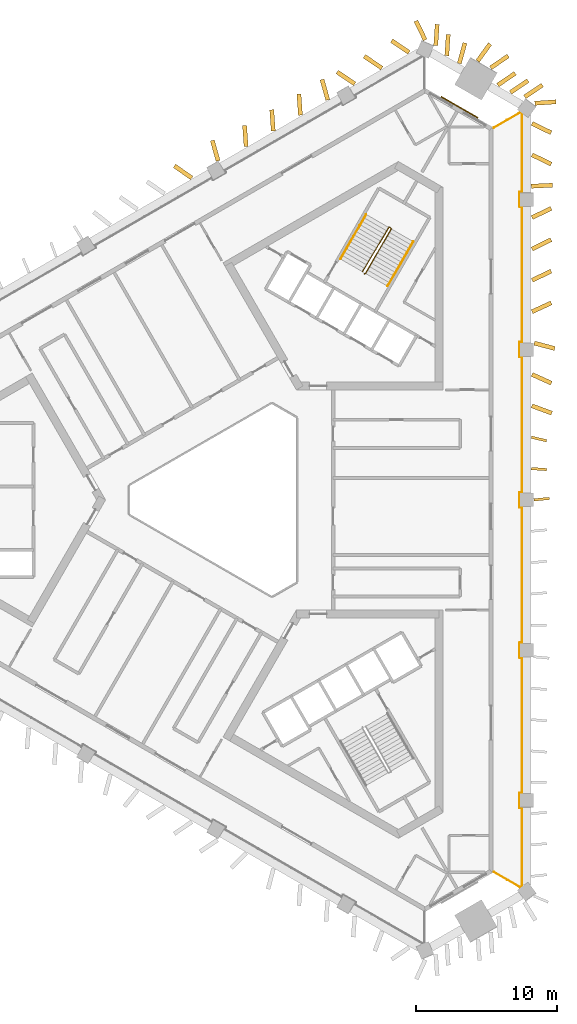
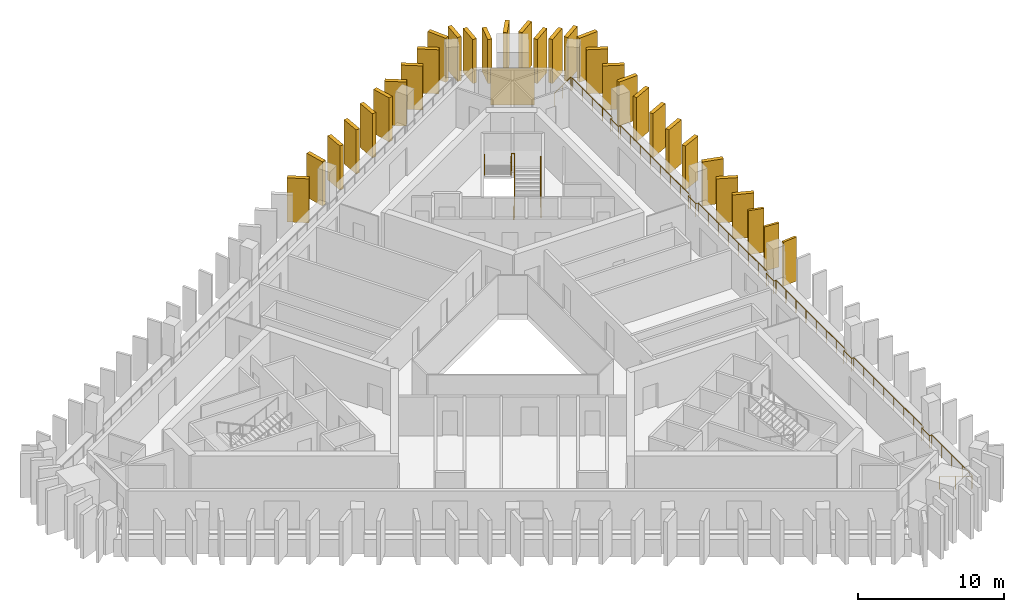
# One storey, part 9 of 9: 32 shading devices, 4 railings, 1 covering.
"""IFC4 building model written with IfcOpenShell, lengths in metres."""

from ifc_helpers import new_model, si_unit, direction, frame, frame_2d, origin, origin_2d, place, context, subcontext, project, spatial, rectangle, circle, extrude, material, layer, layer_set, type_object, element, save


model = new_model("IFC4")

# Units and contexts
model_context = context("Model", 3, precision=1e-05, world=origin(), true_north=direction((0.0, 1.0)))
body_context = subcontext(model_context, "Body", "Model", "MODEL_VIEW")
ifc_project = project(units=[si_unit("LENGTHUNIT", "METRE"), si_unit("AREAUNIT", "SQUARE_METRE"), si_unit("VOLUMEUNIT", "CUBIC_METRE"), si_unit("PLANEANGLEUNIT", "RADIAN"), si_unit("MASSUNIT", "GRAM", prefix="KILO")], contexts=[model_context])

# Site, building, storey
site_placement = place(None, origin())
site = spatial("IfcSite", under=ifc_project, at=site_placement, CompositionType="ELEMENT")
building_placement = place(site_placement, origin())
building = spatial("IfcBuilding", under=site, at=building_placement, Name="Jabali Bay Hotel Tower and Convention Centre", CompositionType="ELEMENT")
storey_placement = place(building_placement, frame((0.0, 0.0, 189.60009765625)))
storey = spatial("IfcBuildingStorey", under=building, at=storey_placement, Name="L46", CompositionType="ELEMENT", Elevation=189.60009765625)

# Railing
ifc_material_1 = material(Name="Glass", Category="glass")
railing_type_1 = type_object("IfcRailingType", Name="Loggia glass guard 1100", PredefinedType="BALUSTRADE", material=ifc_material_1)
railing_1_placement = place(storey_placement, frame((93.477783203125, 106.33837890625, 0.0)))
element("IfcRailing", 1, at=railing_1_placement, inside=storey, type_object=railing_type_1, Name="Loggia glass guard L46", PredefinedType="BALUSTRADE", context=body_context, shape_type="SweptSolid", body=[
    extrude(circle(Radius=0.02490234375, at=origin_2d()), frame((0.0, 0.0, 1.0751953125), z_axis=(0.866035418383, 0.499982653806, 0.0), x_axis=(-0.495705232892, 0.858626365323, 0.13052619222)), (0.0, 0.0, 1.0), 2.19287109375),
    extrude(circle(Radius=0.02490234375, at=origin_2d()), frame((1.899169921875, 1.096435546875, 1.0751953125), z_axis=(0.799767562016, -0.600309792313, 0.0), x_axis=(0.595174058821, 0.792925439655, 0.13052619222)), (0.0, 0.0, 1.0), 0.1259765625),
    extrude(circle(Radius=0.02490234375, at=origin_2d()), frame((2.0, 1.020751953125, 1.0751953125), z_axis=(0.0, -1.0, 0.0), x_axis=(0.991444861374, 0.0, 0.13052619222)), (0.0, 0.0, 1.0), 5.55810546875),
    extrude(circle(Radius=0.02490234375, at=origin_2d()), frame((2.0, -4.537353515625, 1.0751953125), z_axis=(-1.0, 0.0, 0.0), x_axis=(0.0, -0.991444861374, 0.13052619222)), (0.0, 0.0, 1.0), 0.175048828125),
    extrude(circle(Radius=0.02490234375, at=origin_2d()), frame((1.824951171875, -4.537353515625, 1.0751953125), z_axis=(0.0, -1.0, 0.0), x_axis=(0.991444861374, 0.0, 0.13052619222)), (0.0, 0.0, 1.0), 1.050048828125),
    extrude(circle(Radius=0.02490234375, at=origin_2d()), frame((1.824951171875, -5.58740234375, 1.0751953125), z_axis=(1.0, 0.0, 0.0), x_axis=(0.0, 0.991444861374, 0.13052619222)), (0.0, 0.0, 1.0), 0.175048828125),
    extrude(circle(Radius=0.02490234375, at=origin_2d()), frame((2.0, -5.58740234375, 1.0751953125), z_axis=(0.0, -1.0, 0.0), x_axis=(0.991444861374, 0.0, 0.13052619222)), (0.0, 0.0, 1.0), 9.587890625),
    extrude(circle(Radius=0.02490234375, at=origin_2d()), frame((2.0, -15.17529296875, 1.0751953125), z_axis=(-1.0, 0.0, 0.0), x_axis=(0.0, -0.991444861374, 0.13052619222)), (0.0, 0.0, 1.0), 0.175048828125),
    extrude(circle(Radius=0.02490234375, at=origin_2d()), frame((1.824951171875, -15.17529296875, 1.0751953125), z_axis=(0.0, -1.0, 0.0), x_axis=(0.991444861374, 0.0, 0.13052619222)), (0.0, 0.0, 1.0), 1.050048828125),
    extrude(circle(Radius=0.02490234375, at=origin_2d()), frame((1.824951171875, -16.225341796875, 1.0751953125), z_axis=(1.0, 0.0, 0.0), x_axis=(0.0, 0.991444861374, 0.13052619222)), (0.0, 0.0, 1.0), 0.175048828125),
    extrude(circle(Radius=0.02490234375, at=origin_2d()), frame((2.0, -16.225341796875, 1.0751953125), z_axis=(0.0, -1.0, 0.0), x_axis=(0.991444861374, 0.0, 0.13052619222)), (0.0, 0.0, 1.0), 9.588134765625),
    extrude(circle(Radius=0.02490234375, at=origin_2d()), frame((2.0, -25.8134765625, 1.0751953125), z_axis=(-1.0, 0.0, 0.0), x_axis=(0.0, -0.991444861374, 0.13052619222)), (0.0, 0.0, 1.0), 0.175048828125),
    extrude(circle(Radius=0.02490234375, at=origin_2d()), frame((1.824951171875, -25.8134765625, 1.0751953125), z_axis=(0.0, -1.0, 0.0), x_axis=(0.991444861374, 0.0, 0.13052619222)), (0.0, 0.0, 1.0), 1.0498046875),
    extrude(circle(Radius=0.02490234375, at=origin_2d()), frame((1.824951171875, -26.86328125, 1.0751953125), z_axis=(1.0, 0.0, 0.0), x_axis=(0.0, 0.991444861374, 0.13052619222)), (0.0, 0.0, 1.0), 0.175048828125),
    extrude(circle(Radius=0.02490234375, at=origin_2d()), frame((2.0, -26.86328125, 1.0751953125), z_axis=(0.0, -1.0, 0.0), x_axis=(0.991444861374, 0.0, 0.13052619222)), (0.0, 0.0, 1.0), 9.588134765625),
    extrude(circle(Radius=0.02490234375, at=origin_2d()), frame((2.0, -36.451416015625, 1.0751953125), z_axis=(-1.0, 0.0, 0.0), x_axis=(0.0, -0.991444861374, 0.13052619222)), (0.0, 0.0, 1.0), 0.175048828125),
    extrude(circle(Radius=0.02490234375, at=origin_2d()), frame((1.824951171875, -36.451416015625, 1.0751953125), z_axis=(0.0, -1.0, 0.0), x_axis=(0.991444861374, 0.0, 0.13052619222)), (0.0, 0.0, 1.0), 1.050048828125),
    extrude(circle(Radius=0.02490234375, at=origin_2d()), frame((1.824951171875, -37.50146484375, 1.0751953125), z_axis=(1.0, 0.0, 0.0), x_axis=(0.0, 0.991444861374, 0.13052619222)), (0.0, 0.0, 1.0), 0.175048828125),
    extrude(circle(Radius=0.02490234375, at=origin_2d()), frame((2.0, -37.50146484375, 1.0751953125), z_axis=(0.0, -1.0, 0.0), x_axis=(0.991444861374, 0.0, 0.13052619222)), (0.0, 0.0, 1.0), 9.587890625),
    extrude(circle(Radius=0.02490234375, at=origin_2d()), frame((2.0, -47.08935546875, 1.0751953125), z_axis=(-1.0, 0.0, 0.0), x_axis=(0.0, -0.991444861374, 0.13052619222)), (0.0, 0.0, 1.0), 0.175048828125),
    extrude(circle(Radius=0.02490234375, at=origin_2d()), frame((1.824951171875, -47.08935546875, 1.0751953125), z_axis=(0.0, -1.0, 0.0), x_axis=(0.991444861374, 0.0, 0.13052619222)), (0.0, 0.0, 1.0), 1.050048828125),
    extrude(circle(Radius=0.02490234375, at=origin_2d()), frame((1.824951171875, -48.139404296875, 1.0751953125), z_axis=(1.0, 0.0, 0.0), x_axis=(0.0, 0.991444861374, 0.13052619222)), (0.0, 0.0, 1.0), 0.175048828125),
    extrude(circle(Radius=0.02490234375, at=origin_2d()), frame((2.0, -48.139404296875, 1.0751953125), z_axis=(0.0, -1.0, 0.0), x_axis=(0.991444861374, 0.0, 0.13052619222)), (0.0, 0.0, 1.0), 5.55810546875),
    extrude(circle(Radius=0.02490234375, at=origin_2d()), frame((2.0, -53.697509765625, 1.0751953125), z_axis=(-0.799767562016, -0.600309792313, 0.0), x_axis=(0.595174058821, -0.792925439655, 0.13052619222)), (0.0, 0.0, 1.0), 0.1259765625),
    extrude(circle(Radius=0.02490234375, at=origin_2d()), frame((1.899169921875, -53.773193359375, 1.0751953125), z_axis=(-0.866035418383, 0.499982653806, 0.0), x_axis=(-0.495705232892, -0.858626365323, 0.13052619222)), (0.0, 0.0, 1.0), 2.19287109375),
    extrude(circle(Radius=0.02001953125, at=origin_2d()), origin(), (0.0, 0.0, 1.0), 1.050048828125),
    extrude(circle(Radius=0.02001953125, at=origin_2d()), frame((0.94970703125, 0.54833984375, 0.0)), (0.0, 0.0, 1.0), 1.050048828125),
    extrude(circle(Radius=0.02001953125, at=origin_2d()), frame((1.899169921875, 1.096435546875, 0.0)), (0.0, 0.0, 1.0), 1.050048828125),
    extrude(circle(Radius=0.02001953125, at=origin_2d()), frame((2.0, 1.020751953125, 0.0)), (0.0, 0.0, 1.0), 1.050048828125),
    extrude(circle(Radius=0.02001953125, at=origin_2d()), frame((2.0, -0.36865234375, 0.0)), (0.0, 0.0, 1.0), 1.050048828125),
    extrude(circle(Radius=0.02001953125, at=origin_2d()), frame((2.0, -1.75830078125, 0.0)), (0.0, 0.0, 1.0), 1.050048828125),
    extrude(circle(Radius=0.02001953125, at=origin_2d()), frame((2.0, -3.14794921875, 0.0)), (0.0, 0.0, 1.0), 1.050048828125),
    extrude(circle(Radius=0.02001953125, at=origin_2d()), frame((2.0, -4.537353515625, 0.0)), (0.0, 0.0, 1.0), 1.050048828125),
    extrude(circle(Radius=0.02001953125, at=origin_2d()), frame((1.824951171875, -4.537353515625, 0.0)), (0.0, 0.0, 1.0), 1.050048828125),
    extrude(circle(Radius=0.02001953125, at=origin_2d()), frame((1.824951171875, -5.58740234375, 0.0)), (0.0, 0.0, 1.0), 1.050048828125),
    extrude(circle(Radius=0.02001953125, at=origin_2d()), frame((2.0, -5.58740234375, 0.0)), (0.0, 0.0, 1.0), 1.050048828125),
    extrude(circle(Radius=0.02001953125, at=origin_2d()), frame((2.0, -6.95703125, 0.0)), (0.0, 0.0, 1.0), 1.050048828125),
    extrude(circle(Radius=0.02001953125, at=origin_2d()), frame((2.0, -8.326904296875, 0.0)), (0.0, 0.0, 1.0), 1.050048828125),
    extrude(circle(Radius=0.02001953125, at=origin_2d()), frame((2.0, -9.696533203125, 0.0)), (0.0, 0.0, 1.0), 1.050048828125),
    extrude(circle(Radius=0.02001953125, at=origin_2d()), frame((2.0, -11.066162109375, 0.0)), (0.0, 0.0, 1.0), 1.050048828125),
    extrude(circle(Radius=0.02001953125, at=origin_2d()), frame((2.0, -12.435791015625, 0.0)), (0.0, 0.0, 1.0), 1.050048828125),
    extrude(circle(Radius=0.02001953125, at=origin_2d()), frame((2.0, -13.8056640625, 0.0)), (0.0, 0.0, 1.0), 1.050048828125),
    extrude(circle(Radius=0.02001953125, at=origin_2d()), frame((2.0, -15.17529296875, 0.0)), (0.0, 0.0, 1.0), 1.050048828125),
    extrude(circle(Radius=0.02001953125, at=origin_2d()), frame((1.824951171875, -15.17529296875, 0.0)), (0.0, 0.0, 1.0), 1.050048828125),
    extrude(circle(Radius=0.02001953125, at=origin_2d()), frame((1.824951171875, -16.225341796875, 0.0)), (0.0, 0.0, 1.0), 1.050048828125),
    extrude(circle(Radius=0.02001953125, at=origin_2d()), frame((2.0, -16.225341796875, 0.0)), (0.0, 0.0, 1.0), 1.050048828125),
    extrude(circle(Radius=0.02001953125, at=origin_2d()), frame((2.0, -17.594970703125, 0.0)), (0.0, 0.0, 1.0), 1.050048828125),
    extrude(circle(Radius=0.02001953125, at=origin_2d()), frame((2.0, -18.96484375, 0.0)), (0.0, 0.0, 1.0), 1.050048828125),
    extrude(circle(Radius=0.02001953125, at=origin_2d()), frame((2.0, -20.33447265625, 0.0)), (0.0, 0.0, 1.0), 1.050048828125),
    extrude(circle(Radius=0.02001953125, at=origin_2d()), frame((2.0, -21.704345703125, 0.0)), (0.0, 0.0, 1.0), 1.050048828125),
    extrude(circle(Radius=0.02001953125, at=origin_2d()), frame((2.0, -23.073974609375, 0.0)), (0.0, 0.0, 1.0), 1.050048828125),
    extrude(circle(Radius=0.02001953125, at=origin_2d()), frame((2.0, -24.44384765625, 0.0)), (0.0, 0.0, 1.0), 1.050048828125),
    extrude(circle(Radius=0.02001953125, at=origin_2d()), frame((2.0, -25.8134765625, 0.0)), (0.0, 0.0, 1.0), 1.050048828125),
    extrude(circle(Radius=0.02001953125, at=origin_2d()), frame((1.824951171875, -25.8134765625, 0.0)), (0.0, 0.0, 1.0), 1.050048828125),
    extrude(circle(Radius=0.02001953125, at=origin_2d()), frame((1.824951171875, -26.86328125, 0.0)), (0.0, 0.0, 1.0), 1.050048828125),
    extrude(circle(Radius=0.02001953125, at=origin_2d()), frame((2.0, -26.86328125, 0.0)), (0.0, 0.0, 1.0), 1.050048828125),
    extrude(circle(Radius=0.02001953125, at=origin_2d()), frame((2.0, -28.23291015625, 0.0)), (0.0, 0.0, 1.0), 1.050048828125),
    extrude(circle(Radius=0.02001953125, at=origin_2d()), frame((2.0, -29.602783203125, 0.0)), (0.0, 0.0, 1.0), 1.050048828125),
    extrude(circle(Radius=0.02001953125, at=origin_2d()), frame((2.0, -30.972412109375, 0.0)), (0.0, 0.0, 1.0), 1.050048828125),
    extrude(circle(Radius=0.02001953125, at=origin_2d()), frame((2.0, -32.34228515625, 0.0)), (0.0, 0.0, 1.0), 1.050048828125),
    extrude(circle(Radius=0.02001953125, at=origin_2d()), frame((2.0, -33.7119140625, 0.0)), (0.0, 0.0, 1.0), 1.050048828125),
    extrude(circle(Radius=0.02001953125, at=origin_2d()), frame((2.0, -35.081787109375, 0.0)), (0.0, 0.0, 1.0), 1.050048828125),
    extrude(circle(Radius=0.02001953125, at=origin_2d()), frame((2.0, -36.451416015625, 0.0)), (0.0, 0.0, 1.0), 1.050048828125),
    extrude(circle(Radius=0.02001953125, at=origin_2d()), frame((1.824951171875, -36.451416015625, 0.0)), (0.0, 0.0, 1.0), 1.050048828125),
    extrude(circle(Radius=0.02001953125, at=origin_2d()), frame((1.824951171875, -37.50146484375, 0.0)), (0.0, 0.0, 1.0), 1.050048828125),
    extrude(circle(Radius=0.02001953125, at=origin_2d()), frame((2.0, -37.50146484375, 0.0)), (0.0, 0.0, 1.0), 1.050048828125),
    extrude(circle(Radius=0.02001953125, at=origin_2d()), frame((2.0, -38.87109375, 0.0)), (0.0, 0.0, 1.0), 1.050048828125),
    extrude(circle(Radius=0.02001953125, at=origin_2d()), frame((2.0, -40.240966796875, 0.0)), (0.0, 0.0, 1.0), 1.050048828125),
    extrude(circle(Radius=0.02001953125, at=origin_2d()), frame((2.0, -41.610595703125, 0.0)), (0.0, 0.0, 1.0), 1.050048828125),
    extrude(circle(Radius=0.02001953125, at=origin_2d()), frame((2.0, -42.980224609375, 0.0)), (0.0, 0.0, 1.0), 1.050048828125),
    extrude(circle(Radius=0.02001953125, at=origin_2d()), frame((2.0, -44.349853515625, 0.0)), (0.0, 0.0, 1.0), 1.050048828125),
    extrude(circle(Radius=0.02001953125, at=origin_2d()), frame((2.0, -45.7197265625, 0.0)), (0.0, 0.0, 1.0), 1.050048828125),
    extrude(circle(Radius=0.02001953125, at=origin_2d()), frame((2.0, -47.08935546875, 0.0)), (0.0, 0.0, 1.0), 1.050048828125),
    extrude(circle(Radius=0.02001953125, at=origin_2d()), frame((1.824951171875, -47.08935546875, 0.0)), (0.0, 0.0, 1.0), 1.050048828125),
    extrude(circle(Radius=0.02001953125, at=origin_2d()), frame((1.824951171875, -48.139404296875, 0.0)), (0.0, 0.0, 1.0), 1.050048828125),
    extrude(circle(Radius=0.02001953125, at=origin_2d()), frame((2.0, -48.139404296875, 0.0)), (0.0, 0.0, 1.0), 1.050048828125),
    extrude(circle(Radius=0.02001953125, at=origin_2d()), frame((2.0, -49.52880859375, 0.0)), (0.0, 0.0, 1.0), 1.050048828125),
    extrude(circle(Radius=0.02001953125, at=origin_2d()), frame((2.0, -50.91845703125, 0.0)), (0.0, 0.0, 1.0), 1.050048828125),
    extrude(circle(Radius=0.02001953125, at=origin_2d()), frame((2.0, -52.30810546875, 0.0)), (0.0, 0.0, 1.0), 1.050048828125),
    extrude(circle(Radius=0.02001953125, at=origin_2d()), frame((2.0, -53.697509765625, 0.0)), (0.0, 0.0, 1.0), 1.050048828125),
    extrude(circle(Radius=0.02001953125, at=origin_2d()), frame((1.899169921875, -53.773193359375, 0.0)), (0.0, 0.0, 1.0), 1.050048828125),
    extrude(circle(Radius=0.02001953125, at=origin_2d()), frame((0.94970703125, -53.22509765625, 0.0)), (0.0, 0.0, 1.0), 1.050048828125),
    extrude(circle(Radius=0.02001953125, at=origin_2d()), frame((0.0, -52.6767578125, 0.0)), (0.0, 0.0, 1.0), 1.050048828125),
])

# Shading devices
ifc_material_2 = material(Name="Precast concrete C60", Category="concrete")
ifc_layer_1 = layer(ifc_material_2, 0.179931640625)
ifc_layer_set_1 = layer_set([ifc_layer_1], Name="Precast concrete C60")
shading_device_type_1 = type_object("IfcShadingDeviceType", Name="Precast fin 3680 x 1100", PredefinedType="USERDEFINED", material=ifc_layer_set_1)
shading_device_1_placement = place(storey_placement, frame((96.3115234375, 80.0, 0.010009765625), z_axis=(0.0, 0.0, 1.0), x_axis=(0.995263116991, 0.097217940509, 0.0)))
element("IfcShadingDevice", 2, at=shading_device_1_placement, inside=storey, type_object=shading_device_type_1, Name="Fin L46 012", ObjectType="FIN", PredefinedType="USERDEFINED", context=body_context, shape_type="SweptSolid", body=[
    extrude(rectangle(XDim=1.099853515625, YDim=0.179931640625, at=frame_2d((0.5498046875, 0.0))), origin(), (0.0, 0.0, 1.0), 3.679931640625),
])
shading_device_2_placement = place(storey_placement, frame((96.12646484375, 82.22021484375, 0.010009765625), z_axis=(0.0, 0.0, 1.0), x_axis=(0.997630328423, -0.068802091615, 0.0)))
element("IfcShadingDevice", 3, at=shading_device_2_placement, inside=storey, type_object=shading_device_type_1, Name="Fin L46 013", ObjectType="FIN", PredefinedType="USERDEFINED", context=body_context, shape_type="SweptSolid", body=[
    extrude(rectangle(XDim=1.10009765625, YDim=0.179931640625, at=frame_2d((0.550048828125, 0.0))), origin(), (0.0, 0.0, 1.0), 3.679931640625),
])
shading_device_3_placement = place(storey_placement, frame((96.141357421875, 84.4404296875, 0.010009765625), z_axis=(0.0, 0.0, 1.0), x_axis=(0.972246081919, -0.233960586836, 0.0)))
element("IfcShadingDevice", 4, at=shading_device_3_placement, inside=storey, type_object=shading_device_type_1, Name="Fin L46 014", ObjectType="FIN", PredefinedType="USERDEFINED", context=body_context, shape_type="SweptSolid", body=[
    extrude(rectangle(XDim=1.099853515625, YDim=0.179931640625, at=frame_2d((0.5498046875, 0.0))), origin(), (0.0, 0.0, 1.0), 3.679931640625),
])
ifc_layer_2 = layer(ifc_material_2, 0.300048828125)
ifc_layer_set_2 = layer_set([ifc_layer_2], Name="Precast concrete C60")
shading_device_type_2 = type_object("IfcShadingDeviceType", Name="Precast fin 3680 x 1500", PredefinedType="USERDEFINED", material=ifc_layer_set_2)
shading_device_4_placement = place(storey_placement, frame((96.17236328125, 86.66064453125, 0.010009765625), z_axis=(0.0, 0.0, 1.0), x_axis=(0.937964578175, -0.346731091897, 0.0)))
element("IfcShadingDevice", 5, at=shading_device_4_placement, inside=storey, type_object=shading_device_type_2, Name="Fin L46 015", ObjectType="FIN", PredefinedType="USERDEFINED", context=body_context, shape_type="SweptSolid", body=[
    extrude(rectangle(XDim=1.499755859375, YDim=0.300048828125, at=frame_2d((0.75, 0.0))), origin(), (0.0, 0.0, 1.0), 3.679931640625),
])
for number, where, z_axis, x_axis, name in (
    (6, (96.181884765625, 88.880859375, 0.010009765625), (0.0, 0.0, 1.0), (0.911793552162, -0.410648898983, 0.0), "Fin L46 016"),
    (7, (96.341064453125, 91.10107421875, 0.010009765625), (0.0, 0.0, 1.0), (0.966759676631, -0.255686776429, 0.0), "Fin L46 017"),
    (8, (96.1826171875, 93.3212890625, 0.010009765625), (0.0, 0.0, 1.0), (0.90914186431, 0.416486579085, 0.0), "Fin L46 018"),
    (9, (96.185791015625, 95.541748046875, 0.010009765625), (0.0, 0.0, 1.0), (0.899383852228, 0.437159794985, 0.0), "Fin L46 019"),
    (10, (96.185791015625, 97.761962890625, 0.010009765625), (0.0, 0.0, 1.0), (0.899224705973, 0.437487060571, 0.0), "Fin L46 020"),
):
    element("IfcShadingDevice", number, at=place(storey_placement, frame(where, z_axis=z_axis, x_axis=x_axis)), inside=storey, type_object=shading_device_type_2, Name=name, ObjectType="FIN", PredefinedType="USERDEFINED", context=body_context, shape_type="SweptSolid", body=[
        extrude(rectangle(XDim=1.5, YDim=0.300048828125, at=frame_2d((0.75, 0.0))), origin(), (0.0, 0.0, 1.0), 3.679931640625),
    ])
shading_device_5_placement = place(storey_placement, frame((96.185791015625, 99.982177734375, 0.010009765625), z_axis=(0.0, 0.0, 1.0), x_axis=(0.899160672984, 0.437618651521, 0.0)))
element("IfcShadingDevice", 11, at=shading_device_5_placement, inside=storey, type_object=shading_device_type_2, Name="Fin L46 021", ObjectType="FIN", PredefinedType="USERDEFINED", context=body_context, shape_type="SweptSolid", body=[
    extrude(rectangle(XDim=1.500244140625, YDim=0.300048828125, at=frame_2d((0.75, 0.0))), origin(), (0.0, 0.0, 1.0), 3.679931640625),
])
shading_device_6_placement = place(storey_placement, frame((96.127685546875, 102.202392578125, 0.010009765625), z_axis=(0.0, 0.0, 1.0), x_axis=(0.998806935129, 0.048833455107, 0.0)))
element("IfcShadingDevice", 12, at=shading_device_6_placement, inside=storey, type_object=shading_device_type_2, Name="Fin L46 022", ObjectType="FIN", PredefinedType="USERDEFINED", context=body_context, shape_type="SweptSolid", body=[
    extrude(rectangle(XDim=1.499755859375, YDim=0.300048828125, at=frame_2d((0.75, 0.0))), origin(), (0.0, 0.0, 1.0), 3.679931640625),
])
for number, where, z_axis, x_axis, name in (
    (13, (96.185791015625, 104.422607421875, 0.010009765625), (0.0, 0.0, 1.0), (0.899160672984, -0.437618651521, 0.0), "Fin L46 023"),
    (14, (96.185791015625, 106.642822265625, 0.010009765625), (0.0, 0.0, 1.0), (0.899160672984, -0.437618651521, 0.0), "Fin L46 024"),
):
    element("IfcShadingDevice", number, at=place(storey_placement, frame(where, z_axis=z_axis, x_axis=x_axis)), inside=storey, type_object=shading_device_type_2, Name=name, ObjectType="FIN", PredefinedType="USERDEFINED", context=body_context, shape_type="SweptSolid", body=[
        extrude(rectangle(XDim=1.500244140625, YDim=0.300048828125, at=frame_2d((0.75, 0.0))), origin(), (0.0, 0.0, 1.0), 3.679931640625),
    ])
for number, where, z_axis, x_axis, name in (
    (15, (95.672607421875, 108.524169921875, 0.010009765625), (0.0, 0.0, 1.0), (0.828578765843, 0.559872511196, 0.0), "Fin L46 025"),
    (16, (94.65283203125, 108.83837890625, 0.010009765625), (0.0, 0.0, 1.0), (0.828654266351, 0.55976075859, 0.0), "Fin L46 026"),
    (17, (93.751953125, 109.3583984375, 0.010009765625), (0.0, 0.0, 1.0), (0.828578765843, 0.559872511196, 0.0), "Fin L46 027"),
    (18, (93.2568359375, 110.581787109375, 0.010009765625), (0.0, 0.0, 1.0), (0.826017232839, 0.563644862527, 0.0), "Fin L46 028"),
):
    element("IfcShadingDevice", number, at=place(storey_placement, frame(where, z_axis=z_axis, x_axis=x_axis)), inside=storey, type_object=shading_device_type_2, Name=name, ObjectType="FIN", PredefinedType="USERDEFINED", context=body_context, shape_type="SweptSolid", body=[
        extrude(rectangle(XDim=1.5, YDim=0.300048828125, at=frame_2d((0.75, 0.0))), origin(), (0.0, 0.0, 1.0), 3.679931640625),
    ])
shading_device_7_placement = place(storey_placement, frame((92.3310546875, 111.05859375, 0.010009765625), z_axis=(0.0, 0.0, 1.0), x_axis=(0.584896205236, 0.811108148831, 0.0)))
element("IfcShadingDevice", 19, at=shading_device_7_placement, inside=storey, type_object=shading_device_type_2, Name="Fin L46 029", ObjectType="FIN", PredefinedType="USERDEFINED", context=body_context, shape_type="SweptSolid", body=[
    extrude(rectangle(XDim=1.500244140625, YDim=0.300048828125, at=frame_2d((0.75, 0.0))), origin(), (0.0, 0.0, 1.0), 3.679931640625),
])
for number, where, z_axis, x_axis, name in (
    (20, (91.035400390625, 110.894775390625, 0.010009765625), (0.0, 0.0, 1.0), (0.264301506645, 0.96444010368, 0.0), "Fin L46 030"),
    (21, (90.1484375, 111.43896484375, 0.010009765625), (0.0, 0.0, 1.0), (0.070472092405, 0.99751375138, 0.0), "Fin L46 031"),
    (22, (89.366455078125, 112.1650390625, 0.010009765625), (0.0, 0.0, 1.0), (0.070472092405, 0.99751375138, 0.0), "Fin L46 032"),
    (23, (87.48046875, 111.6689453125, 0.010009765625), (0.0, 0.0, 1.0), (-0.828578765843, 0.559872511196, 0.0), "Fin L46 033"),
    (24, (85.5576171875, 110.558837890625, 0.010009765625), (0.0, 0.0, 1.0), (-0.828578765843, 0.559872511196, 0.0), "Fin L46 034"),
    (25, (83.634765625, 109.44873046875, 0.010009765625), (0.0, 0.0, 1.0), (-0.828578765843, 0.559872511196, 0.0), "Fin L46 035"),
    (26, (81.7265625, 108.3134765625, 0.010009765625), (0.0, 0.0, 1.0), (-0.272785876612, 0.962074771273, 0.0), "Fin L46 036"),
):
    element("IfcShadingDevice", number, at=place(storey_placement, frame(where, z_axis=z_axis, x_axis=x_axis)), inside=storey, type_object=shading_device_type_2, Name=name, ObjectType="FIN", PredefinedType="USERDEFINED", context=body_context, shape_type="SweptSolid", body=[
        extrude(rectangle(XDim=1.5, YDim=0.300048828125, at=frame_2d((0.75, 0.0))), origin(), (0.0, 0.0, 1.0), 3.679931640625),
    ])
for number, where, z_axis, x_axis, name in (
    (27, (79.789306640625, 107.228515625, 0.010009765625), (0.0, 0.0, 1.0), (-0.070645503354, 0.99750148514, 0.0), "Fin L46 037"),
    (28, (77.866455078125, 106.118408203125, 0.010009765625), (0.0, 0.0, 1.0), (-0.070483535293, 0.9975129429, 0.0), "Fin L46 038"),
    (29, (75.94384765625, 105.00830078125, 0.010009765625), (0.0, 0.0, 1.0), (-0.070645503354, 0.99750148514, 0.0), "Fin L46 039"),
):
    element("IfcShadingDevice", number, at=place(storey_placement, frame(where, z_axis=z_axis, x_axis=x_axis)), inside=storey, type_object=shading_device_type_2, Name=name, ObjectType="FIN", PredefinedType="USERDEFINED", context=body_context, shape_type="SweptSolid", body=[
        extrude(rectangle(XDim=1.499755859375, YDim=0.300048828125, at=frame_2d((0.75, 0.0))), origin(), (0.0, 0.0, 1.0), 3.679931640625),
    ])
shading_device_8_placement = place(storey_placement, frame((73.961181640625, 104.001708984375, 0.010009765625), z_axis=(0.0, 0.0, 1.0), x_axis=(-0.270957644327, 0.962591270987, 0.0)))
element("IfcShadingDevice", 30, at=shading_device_8_placement, inside=storey, type_object=shading_device_type_2, Name="Fin L46 040", ObjectType="FIN", PredefinedType="USERDEFINED", context=body_context, shape_type="SweptSolid", body=[
    extrude(rectangle(XDim=1.500244140625, YDim=0.300048828125, at=frame_2d((0.75, 0.0))), origin(), (0.0, 0.0, 1.0), 3.679931640625),
])
shading_device_9_placement = place(storey_placement, frame((72.099365234375, 102.7861328125, 0.010009765625), z_axis=(0.0, 0.0, 1.0), x_axis=(-0.819163097304, 0.573560650686, 0.0)))
element("IfcShadingDevice", 31, at=shading_device_9_placement, inside=storey, type_object=shading_device_type_2, Name="Fin L46 041", ObjectType="FIN", PredefinedType="USERDEFINED", context=body_context, shape_type="SweptSolid", body=[
    extrude(rectangle(XDim=1.5, YDim=0.300048828125, at=frame_2d((0.75, 0.0))), origin(), (0.0, 0.0, 1.0), 3.679931640625),
])
shading_device_10_placement = place(storey_placement, frame((96.381591796875, 108.072509765625, 0.010009765625), z_axis=(0.0, 0.0, 1.0), x_axis=(0.99750148514, 0.070645503354, 0.0)))
element("IfcShadingDevice", 32, at=shading_device_10_placement, inside=storey, type_object=shading_device_type_2, Name="Fin L46 100", ObjectType="FIN", PredefinedType="USERDEFINED", context=body_context, shape_type="SweptSolid", body=[
    extrude(rectangle(XDim=1.499755859375, YDim=0.300048828125, at=frame_2d((0.75, 0.0))), origin(), (0.0, 0.0, 1.0), 3.679931640625),
])
shading_device_11_placement = place(storey_placement, frame((88.620849609375, 112.55322265625, 0.010009765625), z_axis=(0.0, 0.0, 1.0), x_axis=(-0.43768269784, 0.899129499022, 0.0)))
element("IfcShadingDevice", 33, at=shading_device_11_placement, inside=storey, type_object=shading_device_type_2, Name="Fin L46 101", ObjectType="FIN", PredefinedType="USERDEFINED", context=body_context, shape_type="SweptSolid", body=[
    extrude(rectangle(XDim=1.5, YDim=0.300048828125, at=frame_2d((0.75, 0.0))), origin(), (0.0, 0.0, 1.0), 3.679931640625),
])

# Covering
ifc_material_3 = material(Name="Precast concrete C40/50", Category="concrete")
ifc_layer_3 = layer(ifc_material_3, 0.080078125)
ifc_layer_set_3 = layer_set([ifc_layer_3], Name="Precast concrete C40/50")
covering_type = type_object("IfcCoveringType", Name="Relief panel 3000 x 3050", PredefinedType="CLADDING", material=ifc_layer_set_3)
covering_placement = place(storey_placement, frame((91.04443359375, 107.78955078125, 0.10009765625), z_axis=(0.0, 0.0, 1.0), x_axis=(0.866025369375, -0.500000059598, 0.0)))
element("IfcCovering", 34, at=covering_placement, inside=storey, type_object=covering_type, Name="Relief panel L46", PredefinedType="CLADDING", context=body_context, shape_type="SweptSolid", body=[
    extrude(rectangle(XDim=3.0, YDim=0.080078125, at=origin_2d()), origin(), (0.0, 0.0, 1.0), 3.050048828125),
])

# Railings
ifc_material_4 = material(Name="Steel Q355B", Category="steel")
railing_type_2 = type_object("IfcRailingType", Name="Stair guard 1100", PredefinedType="GUARDRAIL", material=ifc_material_4)
railing_2_placement = place(storey_placement, frame((84.329833984375, 96.010009765625, 0.0)))
element("IfcRailing", 35, at=railing_2_placement, inside=storey, type_object=railing_type_2, Name="L46 ST2 stair guard 1", PredefinedType="GUARDRAIL", context=body_context, shape_type="SweptSolid", body=[
    extrude(circle(Radius=0.02392578125, at=origin_2d()), frame((0.0, 0.0, 1.076171875), z_axis=(0.456201556387, 0.122196845461, 0.881446578591), x_axis=(-0.258736085224, 0.965948051503, 0.0)), (0.0, 0.0, 1.0), 0.14990234375),
    extrude(circle(Radius=0.02392578125, at=origin_2d()), frame((0.068359375, 0.018310546875, 1.2080078125), z_axis=(0.452190331055, 0.783190014029, 0.426775475427), x_axis=(-0.866018046521, 0.500012742938, 0.0)), (0.0, 0.0, 1.0), 4.02490234375),
    extrude(circle(Radius=0.02392578125, at=origin_2d()), frame((1.888427734375, 3.170654296875, 2.92578125), z_axis=(-0.718850276695, 0.695164929852, 0.0), x_axis=(-0.695164929852, -0.718850276695, 0.0)), (0.0, 0.0, 1.0), 0.2060546875),
    extrude(circle(Radius=0.02392578125, at=origin_2d()), frame((1.740234375, 3.31396484375, 2.92578125), z_axis=(-0.457445338502, -0.768046879266, 0.448160410493), x_axis=(0.859157857954, -0.511710636118, 0.0)), (0.0, 0.0, 1.0), 4.128173828125),
    extrude(circle(Radius=0.02099609375, at=origin_2d()), origin(), (0.0, 0.0, 1.0), 1.052001953125),
    extrude(circle(Radius=0.02099609375, at=origin_2d()), frame((0.068359375, 0.018310546875, 0.132080078125)), (0.0, 0.0, 1.0), 1.052001953125),
    extrude(circle(Radius=0.02099609375, at=origin_2d()), frame((0.5234375, 0.806396484375, 0.5615234375)), (0.0, 0.0, 1.0), 1.052001953125),
    extrude(circle(Radius=0.02099609375, at=origin_2d()), frame((0.978515625, 1.594482421875, 0.990966796875)), (0.0, 0.0, 1.0), 1.052001953125),
    extrude(circle(Radius=0.02099609375, at=origin_2d()), frame((1.433349609375, 2.382568359375, 1.42041015625)), (0.0, 0.0, 1.0), 1.052001953125),
    extrude(circle(Radius=0.02099609375, at=origin_2d()), frame((1.888427734375, 3.170654296875, 1.849853515625)), (0.0, 0.0, 1.0), 1.052001953125),
    extrude(circle(Radius=0.02099609375, at=origin_2d()), frame((1.740234375, 3.31396484375, 1.849853515625)), (0.0, 0.0, 1.0), 1.052001953125),
    extrude(circle(Radius=0.02099609375, at=origin_2d()), frame((1.26806640625, 2.521240234375, 2.3125)), (0.0, 0.0, 1.0), 1.052001953125),
    extrude(circle(Radius=0.02099609375, at=origin_2d()), frame((0.7958984375, 1.728515625, 2.77490234375)), (0.0, 0.0, 1.0), 1.052001953125),
    extrude(circle(Radius=0.02099609375, at=origin_2d()), frame((0.323974609375, 0.93603515625, 3.2373046875)), (0.0, 0.0, 1.0), 1.052001953125),
    extrude(circle(Radius=0.02099609375, at=origin_2d()), frame((-0.148193359375, 0.143310546875, 3.699951171875)), (0.0, 0.0, 1.0), 1.052001953125),
])
railing_type_3 = type_object("IfcRailingType", Name="Stair handrail 900", PredefinedType="HANDRAIL", material=ifc_material_4)
railing_3_placement = place(storey_placement, frame((85.95703125, 95.128173828125, 0.132080078125)))
element("IfcRailing", 36, at=railing_3_placement, inside=storey, type_object=railing_type_3, Name="L46 ST2 stair handrail 1", PredefinedType="HANDRAIL", context=body_context, shape_type="SweptSolid", body=[
    extrude(circle(Radius=0.02392578125, at=origin_2d()), frame((0.0, 0.0, 0.8759765625), z_axis=(0.452190331055, 0.783190014029, 0.426775475427), x_axis=(-0.866018046521, 0.500012742938, 0.0)), (0.0, 0.0, 1.0), 4.02490234375),
    extrude(circle(Radius=0.02099609375, at=origin_2d()), origin(), (0.0, 0.0, 1.0), 0.851806640625),
    extrude(circle(Radius=0.02099609375, at=origin_2d()), frame((0.455078125, 0.7880859375, 0.429443359375)), (0.0, 0.0, 1.0), 0.851806640625),
    extrude(circle(Radius=0.02099609375, at=origin_2d()), frame((0.91015625, 1.576171875, 0.85888671875)), (0.0, 0.0, 1.0), 0.851806640625),
    extrude(circle(Radius=0.02099609375, at=origin_2d()), frame((1.364990234375, 2.3642578125, 1.288330078125)), (0.0, 0.0, 1.0), 0.851806640625),
    extrude(circle(Radius=0.02099609375, at=origin_2d()), frame((1.820068359375, 3.15234375, 1.7177734375)), (0.0, 0.0, 1.0), 0.851806640625),
])
railing_4_placement = place(storey_placement, frame((84.44287109375, 100.20556640625, 1.98193359375)))
element("IfcRailing", 37, at=railing_4_placement, inside=storey, type_object=railing_type_3, Name="L46 ST2 stair handrail 2", PredefinedType="HANDRAIL", context=body_context, shape_type="SweptSolid", body=[
    extrude(circle(Radius=0.02392578125, at=origin_2d()), frame((0.0, 0.0, 0.8759765625), z_axis=(-0.45217862506, -0.783169739339, 0.426825081763), x_axis=(0.866018046521, -0.500012742938, 0.0)), (0.0, 0.0, 1.0), 4.025146484375),
    extrude(circle(Radius=0.02099609375, at=origin_2d()), origin(), (0.0, 0.0, 1.0), 0.851806640625),
    extrude(circle(Radius=0.02099609375, at=origin_2d()), frame((-0.455078125, -0.7880859375, 0.429443359375)), (0.0, 0.0, 1.0), 0.851806640625),
    extrude(circle(Radius=0.02099609375, at=origin_2d()), frame((-0.91015625, -1.576171875, 0.85888671875)), (0.0, 0.0, 1.0), 0.851806640625),
    extrude(circle(Radius=0.02099609375, at=origin_2d()), frame((-1.364990234375, -2.3642578125, 1.28857421875)), (0.0, 0.0, 1.0), 0.851806640625),
    extrude(circle(Radius=0.02099609375, at=origin_2d()), frame((-1.820068359375, -3.15234375, 1.718017578125)), (0.0, 0.0, 1.0), 0.851806640625),
])

save(model, "model.ifc")
